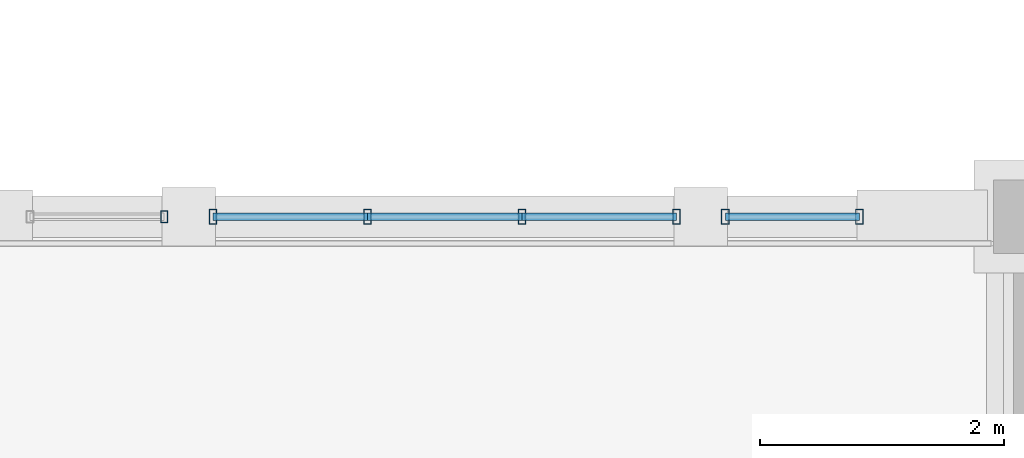
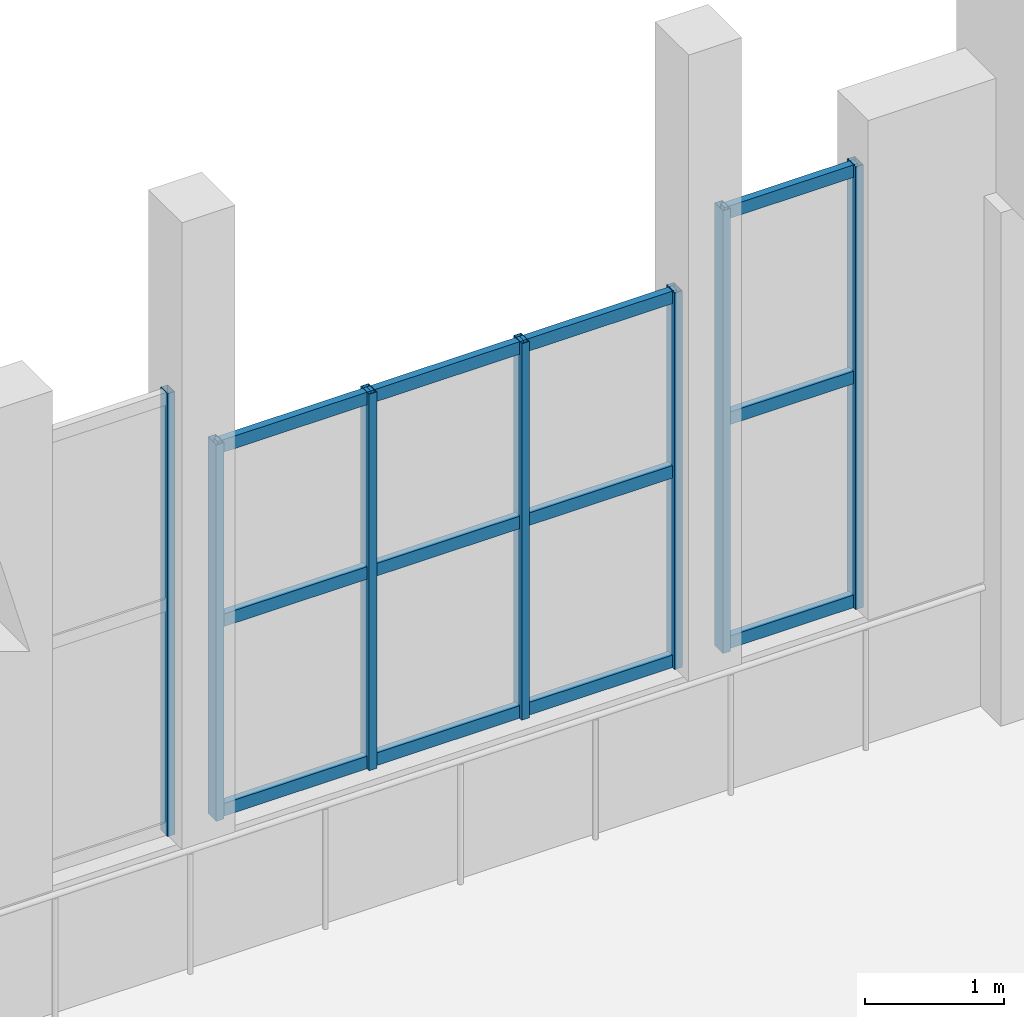
# One storey, part 6 of 46: 19 members, 3 elements without a shape of their own.
"""IFC4 building model written with IfcOpenShell, lengths in metres."""

from ifc_helpers import new_model, si_unit, direction, frame, origin, origin_2d, place, context, subcontext, project, spatial, hollow_rectangle, extrude, material, material_profile, profile_set, type_object, element, aggregate, save


model = new_model("IFC4")

# Units and contexts
model_context = context("Model", 3, precision=1e-05, world=origin(), true_north=direction((0.0, 1.0)))
body_context = subcontext(model_context, "Body", "Model", "MODEL_VIEW")
ifc_project = project(units=[si_unit("LENGTHUNIT", "METRE"), si_unit("AREAUNIT", "SQUARE_METRE"), si_unit("VOLUMEUNIT", "CUBIC_METRE"), si_unit("PLANEANGLEUNIT", "RADIAN"), si_unit("MASSUNIT", "GRAM", prefix="KILO")], contexts=[model_context])

# Site, building, storey
site_placement = place(None, origin())
site = spatial("IfcSite", under=ifc_project, at=site_placement, CompositionType="ELEMENT")
building_placement = place(site_placement, origin())
building = spatial("IfcBuilding", under=site, at=building_placement, Name="Mavantir Sound Aquarium", CompositionType="ELEMENT")
storey_placement = place(building_placement, frame((0.0, 0.0, 15.300048828125)))
storey = spatial("IfcBuildingStorey", under=building, at=storey_placement, Name="L03", CompositionType="ELEMENT", Elevation=15.300048828125)

# Curtain wall, member
ifc_material_1 = material(Name="Anodised Marine Aluminium and Low-E Glass", Category="aluminium")
curtain_wall_type_1 = type_object("IfcCurtainWallType", Name="CW-T08", PredefinedType="USERDEFINED", material=ifc_material_1)
curtain_wall_1_placement = place(storey_placement, origin())
curtain_wall_1 = element("IfcCurtainWall", 1, at=curtain_wall_1_placement, inside=storey, type_object=curtain_wall_type_1, Name="L03 unitised curtain wall CW-08 151", ObjectType="UNITISED GLAZING", PredefinedType="USERDEFINED")
ifc_material_2 = material(Name="Anodised Marine Aluminium 6063-T6", Category="aluminium")
ifc_material_profile_1 = material_profile(ifc_material_2, hollow_rectangle(XDim=0.06005859375, YDim=0.10009765625, WallThickness=0.00390625, at=origin_2d()), Name="ALU-MULLION-100X60")
ifc_profile_set_1 = profile_set([ifc_material_profile_1], Name="Anodised Marine Aluminium 6063-T6")
member_type_1 = type_object("IfcMemberType", Name="CW-MUL-100", PredefinedType="MULLION", material=ifc_profile_set_1)
member_1_placement = place(storey_placement, frame((120.10009765625, 85.800048828125, 1.119873046875), z_axis=(0.0, 0.0, 1.0), x_axis=(1.0, 0.0, 0.0)))
member_1 = element("IfcMember", 2, at=member_1_placement, type_object=member_type_1, Name="CW-DIOC-2N-L vertical mullion 2", PredefinedType="MULLION", context=body_context, shape_type="SweptSolid", body=[
    extrude(hollow_rectangle(XDim=0.06005859375, YDim=0.10009765625, WallThickness=0.00390625, at=origin_2d()), origin(), (0.0, 0.0, 1.0), 3.880126953125),
])
aggregate(curtain_wall_1, [member_1])

# Curtain wall, members
curtain_wall_type_2 = type_object("IfcCurtainWallType", Name="CW-T07", PredefinedType="USERDEFINED", material=ifc_material_1)
curtain_wall_2_placement = place(storey_placement, origin())
curtain_wall_2 = element("IfcCurtainWall", 3, at=curtain_wall_2_placement, inside=storey, type_object=curtain_wall_type_2, Name="L03 unitised curtain wall CW-07 150", ObjectType="UNITISED GLAZING", PredefinedType="USERDEFINED")
ifc_material_profile_2 = material_profile(ifc_material_2, hollow_rectangle(XDim=0.06494140625, YDim=0.1201171875, WallThickness=0.00390625, at=origin_2d()), Name="ALU-MULLION-120X65")
ifc_profile_set_2 = profile_set([ifc_material_profile_2], Name="Anodised Marine Aluminium 6063-T6")
member_type_2 = type_object("IfcMemberType", Name="CW-MUL-120", PredefinedType="MULLION", material=ifc_profile_set_2)
member_2_placement = place(storey_placement, frame((120.5, 85.800048828125, 1.119873046875), z_axis=(0.0, 0.0, 1.0), x_axis=(1.0, 0.0, 0.0)))
member_2 = element("IfcMember", 4, at=member_2_placement, type_object=member_type_2, Name="CW-DIOC-2N-C vertical mullion 1", PredefinedType="MULLION", context=body_context, shape_type="SweptSolid", body=[
    extrude(hollow_rectangle(XDim=0.06494140625, YDim=0.1201171875, WallThickness=0.00390625, at=origin_2d()), origin(), (0.0, 0.0, 1.0), 3.300048828125),
])
member_3_placement = place(storey_placement, frame((121.7666015625, 85.800048828125, 1.119873046875), z_axis=(0.0, 0.0, 1.0), x_axis=(1.0, 0.0, 0.0)))
member_3 = element("IfcMember", 5, at=member_3_placement, type_object=member_type_2, Name="CW-DIOC-2N-C vertical mullion 2", PredefinedType="MULLION", context=body_context, shape_type="SweptSolid", body=[
    extrude(hollow_rectangle(XDim=0.06494140625, YDim=0.1201171875, WallThickness=0.00390625, at=origin_2d()), origin(), (0.0, 0.0, 1.0), 3.300048828125),
])
member_4_placement = place(storey_placement, frame((123.033203125, 85.800048828125, 1.119873046875), z_axis=(0.0, 0.0, 1.0), x_axis=(1.0, 0.0, 0.0)))
member_4 = element("IfcMember", 6, at=member_4_placement, type_object=member_type_2, Name="CW-DIOC-2N-C vertical mullion 3", PredefinedType="MULLION", context=body_context, shape_type="SweptSolid", body=[
    extrude(hollow_rectangle(XDim=0.06494140625, YDim=0.1201171875, WallThickness=0.00390625, at=origin_2d()), origin(), (0.0, 0.0, 1.0), 3.300048828125),
])
member_5_placement = place(storey_placement, frame((124.300048828125, 85.800048828125, 1.119873046875), z_axis=(0.0, 0.0, 1.0), x_axis=(1.0, 0.0, 0.0)))
member_5 = element("IfcMember", 7, at=member_5_placement, type_object=member_type_2, Name="CW-DIOC-2N-C vertical mullion 4", PredefinedType="MULLION", context=body_context, shape_type="SweptSolid", body=[
    extrude(hollow_rectangle(XDim=0.06494140625, YDim=0.1201171875, WallThickness=0.00390625, at=origin_2d()), origin(), (0.0, 0.0, 1.0), 3.300048828125),
])

curtain_wall_type_3 = type_object("IfcCurtainWallType", Name="CW-T09", PredefinedType="USERDEFINED", material=ifc_material_1)
curtain_wall_3_placement = place(storey_placement, origin())
curtain_wall_3 = element("IfcCurtainWall", 8, at=curtain_wall_3_placement, inside=storey, type_object=curtain_wall_type_3, Name="L03 unitised curtain wall CW-09 152", ObjectType="UNITISED GLAZING", PredefinedType="USERDEFINED")
member_6_placement = place(storey_placement, frame((124.699951171875, 85.800048828125, 1.119873046875), z_axis=(0.0, 0.0, 1.0), x_axis=(1.0, 0.0, 0.0)))
member_6 = element("IfcMember", 9, at=member_6_placement, type_object=member_type_2, Name="CW-DIOC-2N-R vertical mullion 1", PredefinedType="MULLION", context=body_context, shape_type="SweptSolid", body=[
    extrude(hollow_rectangle(XDim=0.06494140625, YDim=0.1201171875, WallThickness=0.00390625, at=origin_2d()), origin(), (0.0, 0.0, 1.0), 3.880126953125),
])
member_7_placement = place(storey_placement, frame((125.800048828125, 85.800048828125, 1.119873046875), z_axis=(0.0, 0.0, 1.0), x_axis=(1.0, 0.0, 0.0)))
member_7 = element("IfcMember", 10, at=member_7_placement, type_object=member_type_2, Name="CW-DIOC-2N-R vertical mullion 2", PredefinedType="MULLION", context=body_context, shape_type="SweptSolid", body=[
    extrude(hollow_rectangle(XDim=0.06494140625, YDim=0.1201171875, WallThickness=0.00390625, at=origin_2d()), origin(), (0.0, 0.0, 1.0), 3.880126953125),
])

# Member
ifc_material_profile_3 = material_profile(ifc_material_2, hollow_rectangle(XDim=0.06005859375, YDim=0.110107421875, WallThickness=0.00390625, at=origin_2d()), Name="ALU-TRANSOM-110X60")
ifc_profile_set_3 = profile_set([ifc_material_profile_3], Name="Anodised Marine Aluminium 6063-T6")
member_type_3 = type_object("IfcMemberType", Name="CW-TRN-110", PredefinedType="USERDEFINED", material=ifc_profile_set_3)
member_8_placement = place(storey_placement, frame((120.5, 85.800048828125, 1.175048828125), z_axis=(1.0, 0.0, 0.0), x_axis=(0.0, 1.0, 0.0)))
member_8 = element("IfcMember", 11, at=member_8_placement, type_object=member_type_3, Name="CW-DIOC-2N-C transom 1.1", ObjectType="TRANSOM", PredefinedType="USERDEFINED", context=body_context, shape_type="SweptSolid", body=[
    extrude(hollow_rectangle(XDim=0.06005859375, YDim=0.110107421875, WallThickness=0.00390625, at=origin_2d()), origin(), (0.0, 0.0, 1.0), 1.2666015625),
])

member_9_placement = place(storey_placement, frame((120.5, 85.800048828125, 2.8359375), z_axis=(1.0, 0.0, 0.0), x_axis=(0.0, 1.0, 0.0)))
member_9 = element("IfcMember", 12, at=member_9_placement, type_object=member_type_3, Name="CW-DIOC-2N-C transom 1.2", ObjectType="TRANSOM", PredefinedType="USERDEFINED", context=body_context, shape_type="SweptSolid", body=[
    extrude(hollow_rectangle(XDim=0.06005859375, YDim=0.110107421875, WallThickness=0.00390625, at=origin_2d()), origin(), (0.0, 0.0, 1.0), 1.2666015625),
])

member_10_placement = place(storey_placement, frame((120.5, 85.800048828125, 4.364990234375), z_axis=(1.0, 0.0, 0.0), x_axis=(0.0, 1.0, 0.0)))
member_10 = element("IfcMember", 13, at=member_10_placement, type_object=member_type_3, Name="CW-DIOC-2N-C transom 1.3", ObjectType="TRANSOM", PredefinedType="USERDEFINED", context=body_context, shape_type="SweptSolid", body=[
    extrude(hollow_rectangle(XDim=0.06005859375, YDim=0.110107421875, WallThickness=0.00390625, at=origin_2d()), origin(), (0.0, 0.0, 1.0), 1.2666015625),
])

member_11_placement = place(storey_placement, frame((121.7666015625, 85.800048828125, 1.175048828125), z_axis=(1.0, 0.0, 0.0), x_axis=(0.0, 1.0, 0.0)))
member_11 = element("IfcMember", 14, at=member_11_placement, type_object=member_type_3, Name="CW-DIOC-2N-C transom 2.1", ObjectType="TRANSOM", PredefinedType="USERDEFINED", context=body_context, shape_type="SweptSolid", body=[
    extrude(hollow_rectangle(XDim=0.06005859375, YDim=0.110107421875, WallThickness=0.00390625, at=origin_2d()), origin(), (0.0, 0.0, 1.0), 1.2666015625),
])

member_12_placement = place(storey_placement, frame((121.7666015625, 85.800048828125, 2.8359375), z_axis=(1.0, 0.0, 0.0), x_axis=(0.0, 1.0, 0.0)))
member_12 = element("IfcMember", 15, at=member_12_placement, type_object=member_type_3, Name="CW-DIOC-2N-C transom 2.2", ObjectType="TRANSOM", PredefinedType="USERDEFINED", context=body_context, shape_type="SweptSolid", body=[
    extrude(hollow_rectangle(XDim=0.06005859375, YDim=0.110107421875, WallThickness=0.00390625, at=origin_2d()), origin(), (0.0, 0.0, 1.0), 1.2666015625),
])

member_13_placement = place(storey_placement, frame((121.7666015625, 85.800048828125, 4.364990234375), z_axis=(1.0, 0.0, 0.0), x_axis=(0.0, 1.0, 0.0)))
member_13 = element("IfcMember", 16, at=member_13_placement, type_object=member_type_3, Name="CW-DIOC-2N-C transom 2.3", ObjectType="TRANSOM", PredefinedType="USERDEFINED", context=body_context, shape_type="SweptSolid", body=[
    extrude(hollow_rectangle(XDim=0.06005859375, YDim=0.110107421875, WallThickness=0.00390625, at=origin_2d()), origin(), (0.0, 0.0, 1.0), 1.2666015625),
])

member_14_placement = place(storey_placement, frame((123.033203125, 85.800048828125, 1.175048828125), z_axis=(1.0, 0.0, 0.0), x_axis=(0.0, 1.0, 0.0)))
member_14 = element("IfcMember", 17, at=member_14_placement, type_object=member_type_3, Name="CW-DIOC-2N-C transom 3.1", ObjectType="TRANSOM", PredefinedType="USERDEFINED", context=body_context, shape_type="SweptSolid", body=[
    extrude(hollow_rectangle(XDim=0.06005859375, YDim=0.110107421875, WallThickness=0.00390625, at=origin_2d()), origin(), (0.0, 0.0, 1.0), 1.266845703125),
])

member_15_placement = place(storey_placement, frame((123.033203125, 85.800048828125, 2.8359375), z_axis=(1.0, 0.0, 0.0), x_axis=(0.0, 1.0, 0.0)))
member_15 = element("IfcMember", 18, at=member_15_placement, type_object=member_type_3, Name="CW-DIOC-2N-C transom 3.2", ObjectType="TRANSOM", PredefinedType="USERDEFINED", context=body_context, shape_type="SweptSolid", body=[
    extrude(hollow_rectangle(XDim=0.06005859375, YDim=0.110107421875, WallThickness=0.00390625, at=origin_2d()), origin(), (0.0, 0.0, 1.0), 1.266845703125),
])

member_16_placement = place(storey_placement, frame((123.033203125, 85.800048828125, 4.364990234375), z_axis=(1.0, 0.0, 0.0), x_axis=(0.0, 1.0, 0.0)))
member_16 = element("IfcMember", 19, at=member_16_placement, type_object=member_type_3, Name="CW-DIOC-2N-C transom 3.3", ObjectType="TRANSOM", PredefinedType="USERDEFINED", context=body_context, shape_type="SweptSolid", body=[
    extrude(hollow_rectangle(XDim=0.06005859375, YDim=0.110107421875, WallThickness=0.00390625, at=origin_2d()), origin(), (0.0, 0.0, 1.0), 1.266845703125),
])

aggregate(curtain_wall_2, [member_2, member_3, member_4, member_5, member_8, member_9, member_10, member_11, member_12, member_13, member_14, member_15, member_16])

member_17_placement = place(storey_placement, frame((124.699951171875, 85.800048828125, 1.175048828125), z_axis=(1.0, 0.0, 0.0), x_axis=(0.0, 1.0, 0.0)))
member_17 = element("IfcMember", 20, at=member_17_placement, type_object=member_type_3, Name="CW-DIOC-2N-R transom 1.1", ObjectType="TRANSOM", PredefinedType="USERDEFINED", context=body_context, shape_type="SweptSolid", body=[
    extrude(hollow_rectangle(XDim=0.06005859375, YDim=0.110107421875, WallThickness=0.00390625, at=origin_2d()), origin(), (0.0, 0.0, 1.0), 1.10009765625),
])

member_18_placement = place(storey_placement, frame((124.699951171875, 85.800048828125, 3.137451171875), z_axis=(1.0, 0.0, 0.0), x_axis=(0.0, 1.0, 0.0)))
member_18 = element("IfcMember", 21, at=member_18_placement, type_object=member_type_3, Name="CW-DIOC-2N-R transom 1.2", ObjectType="TRANSOM", PredefinedType="USERDEFINED", context=body_context, shape_type="SweptSolid", body=[
    extrude(hollow_rectangle(XDim=0.06005859375, YDim=0.110107421875, WallThickness=0.00390625, at=origin_2d()), origin(), (0.0, 0.0, 1.0), 1.10009765625),
])

member_19_placement = place(storey_placement, frame((124.699951171875, 85.800048828125, 4.945068359375), z_axis=(1.0, 0.0, 0.0), x_axis=(0.0, 1.0, 0.0)))
member_19 = element("IfcMember", 22, at=member_19_placement, type_object=member_type_3, Name="CW-DIOC-2N-R transom 1.3", ObjectType="TRANSOM", PredefinedType="USERDEFINED", context=body_context, shape_type="SweptSolid", body=[
    extrude(hollow_rectangle(XDim=0.06005859375, YDim=0.110107421875, WallThickness=0.00390625, at=origin_2d()), origin(), (0.0, 0.0, 1.0), 1.10009765625),
])

aggregate(curtain_wall_3, [member_6, member_7, member_17, member_18, member_19])

save(model, "model.ifc")
